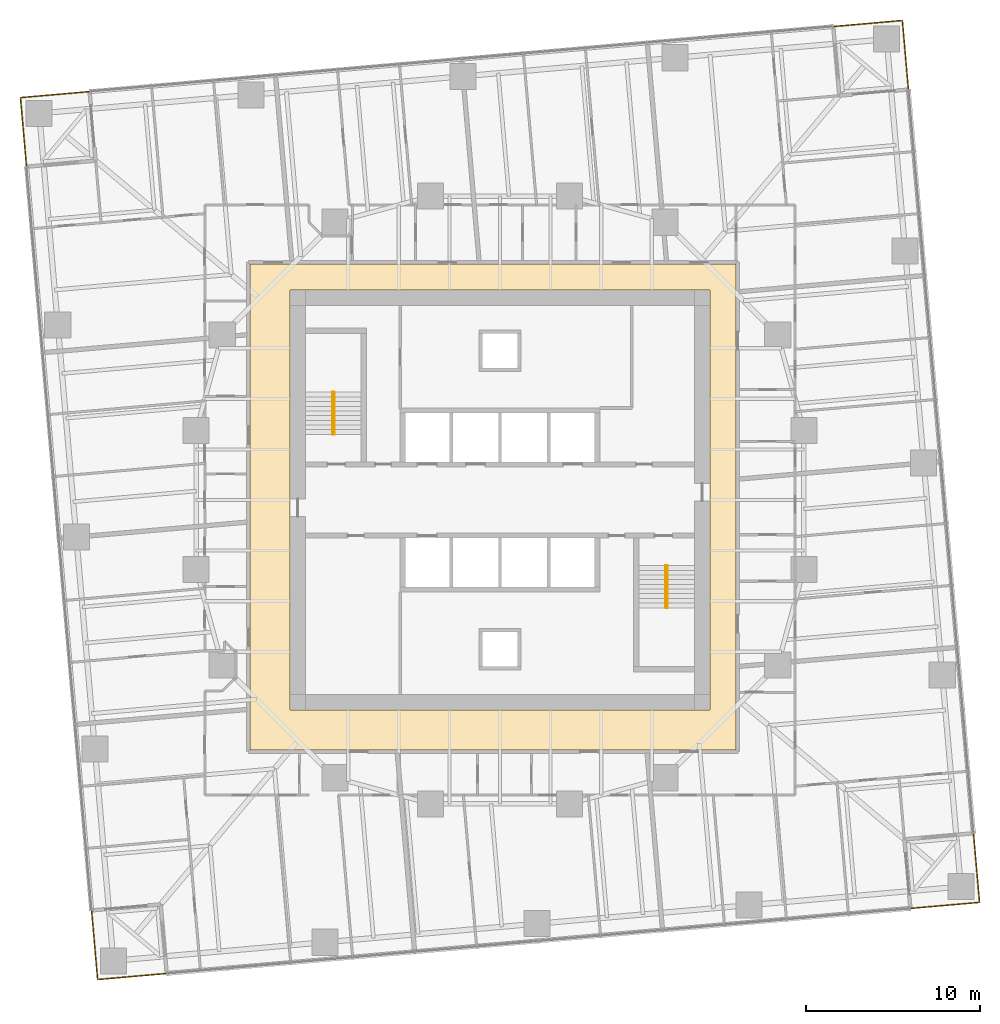
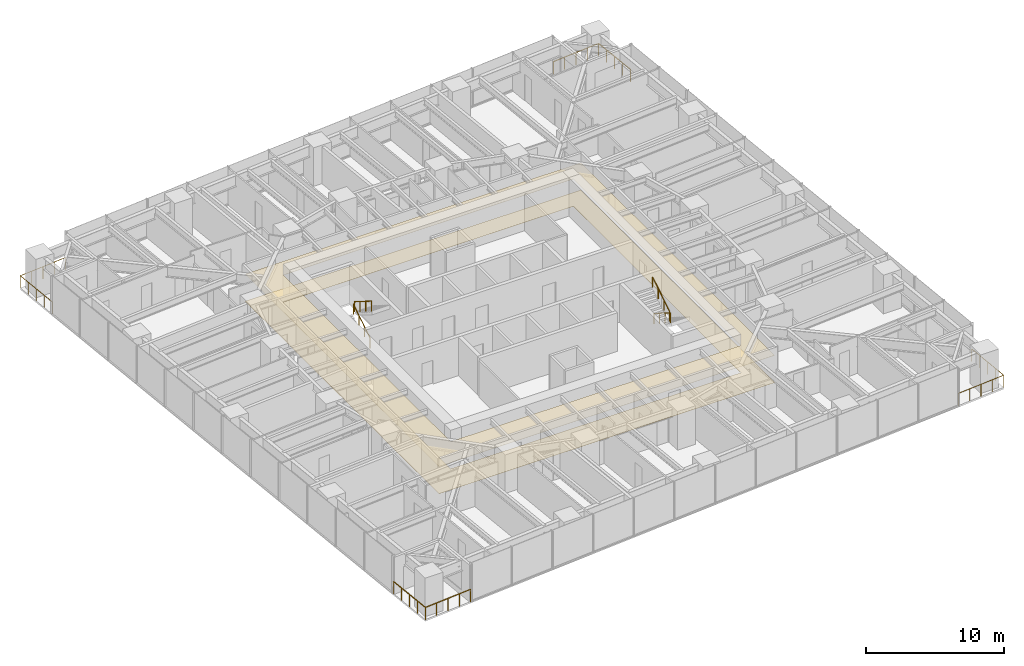
# One storey, part 14 of 14: 8 railings, 2 coverings, 2 elements without a shape of their own.
"""IFC4 building model written with IfcOpenShell, lengths in metres."""

from ifc_helpers import new_model, si_unit, direction, frame, origin, origin_2d, place, context, subcontext, project, spatial, polyline, circle, outline, extrude, material, layer, layer_set, type_object, element, aggregate, save


model = new_model("IFC4")

# Units and contexts
model_context = context("Model", 3, precision=1e-05, world=origin(), true_north=direction((0.0, 1.0)))
body_context = subcontext(model_context, "Body", "Model", "MODEL_VIEW")
ifc_project = project(units=[si_unit("LENGTHUNIT", "METRE"), si_unit("AREAUNIT", "SQUARE_METRE"), si_unit("VOLUMEUNIT", "CUBIC_METRE"), si_unit("PLANEANGLEUNIT", "RADIAN"), si_unit("MASSUNIT", "GRAM", prefix="KILO")], contexts=[model_context])

# Site, building, storey
site_placement = place(None, origin())
site = spatial("IfcSite", under=ifc_project, at=site_placement, CompositionType="ELEMENT")
building_placement = place(site_placement, origin())
building = spatial("IfcBuilding", under=site, at=building_placement, Name="Torsade Residences", CompositionType="ELEMENT")
storey_placement = place(building_placement, frame((0.0, 0.0, 47.199951171875)))
storey = spatial("IfcBuildingStorey", under=building, at=storey_placement, Name="L12", CompositionType="ELEMENT", Elevation=47.199951171875)

# Coverings
ifc_material_1 = material(Name="Nylon carpet tile on underlay", Category="textile")
ifc_layer_1 = layer(ifc_material_1, 0.010009765625)
ifc_layer_set_1 = layer_set([ifc_layer_1], Name="Nylon carpet tile on underlay")
covering_type_1 = type_object("IfcCoveringType", Name="CORRIDOR CARPET TILE 10", PredefinedType="FLOORING", material=ifc_layer_set_1)
covering_1_placement = place(storey_placement, origin())
element("IfcCovering", 1, at=covering_1_placement, inside=storey, type_object=covering_type_1, Name="Corridor carpet L12", PredefinedType="FLOORING", context=body_context, shape_type="SweptSolid", body=[
    extrude(outline(polyline([(53.60009765625, 15.60009765625), (53.60009765625, 43.60009765625), (25.60009765625, 43.60009765625), (25.60009765625, 15.60009765625), (53.60009765625, 15.60009765625)]), holes=[polyline([(52.10009765625, 42.10009765625), (27.89990234375, 42.10009765625), (27.89990234375, 17.89990234375), (52.10009765625, 17.89990234375), (52.10009765625, 42.10009765625)])]), origin(), (0.0, 0.0, 1.0), 0.010009765625),
])
ifc_material_2 = material(Name="Plasterboard on suspended steel grid", Category="steel")
ifc_layer_2 = layer(ifc_material_2, 0.012939453125)
ifc_layer_set_2 = layer_set([ifc_layer_2], Name="Plasterboard on suspended steel grid")
covering_type_2 = type_object("IfcCoveringType", Name="CORRIDOR SUSPENDED CEILING 13", PredefinedType="CEILING", material=ifc_layer_set_2)
covering_2_placement = place(storey_placement, frame((0.0, 0.0, 2.400146484375)))
element("IfcCovering", 2, at=covering_2_placement, inside=storey, type_object=covering_type_2, Name="Corridor ceiling L12", PredefinedType="CEILING", context=body_context, shape_type="SweptSolid", body=[
    extrude(outline(polyline([(53.60009765625, 15.60009765625), (53.60009765625, 43.60009765625), (25.60009765625, 43.60009765625), (25.60009765625, 15.60009765625), (53.60009765625, 15.60009765625)]), holes=[polyline([(52.10009765625, 42.10009765625), (27.89990234375, 42.10009765625), (27.89990234375, 17.89990234375), (52.10009765625, 17.89990234375), (52.10009765625, 42.10009765625)])]), origin(), (0.0, 0.0, 1.0), 0.012939453125),
])

# Stair, railings
ifc_material_3 = material(Name="Precast concrete 40 MPa", Category="concrete")
stair_type = type_object("IfcStairType", Name="HALF-TURN FIRE STAIR 1500x3400", PredefinedType="HALF_TURN_STAIR", material=ifc_material_3)
stair_1_placement = place(storey_placement, origin())
stair_1 = element("IfcStair", 3, at=stair_1_placement, inside=storey, type_object=stair_type, Name="Stair ST1 L12", PredefinedType="HALF_TURN_STAIR")
ifc_material_4 = material(Name="Steel handrail", Category="steel")
railing_type_1 = type_object("IfcRailingType", Name="STAIR HANDRAIL 900", PredefinedType="HANDRAIL", material=ifc_material_4)
railing_1_placement = place(storey_placement, frame((30.35009765625, 33.780029296875, 0.170166015625)))
railing_1 = element("IfcRailing", 4, at=railing_1_placement, type_object=railing_type_1, Name="Handrail ST1 flight 1 L12", PredefinedType="HANDRAIL", context=body_context, shape_type="SweptSolid", body=[
    extrude(circle(Radius=0.02392578125, at=origin_2d()), frame((0.0, 0.0, 0.8759765625), z_axis=(0.0, 0.846259816676, 0.532770422113), x_axis=(-1.0, 0.0, 0.0)), (0.0, 0.0, 1.0), 2.871337890625),
    extrude(circle(Radius=0.02099609375, at=origin_2d()), origin(), (0.0, 0.0, 1.0), 0.851806640625),
    extrude(circle(Radius=0.02099609375, at=origin_2d()), frame((0.0, 0.81005859375, 0.510009765625)), (0.0, 0.0, 1.0), 0.851806640625),
    extrude(circle(Radius=0.02099609375, at=origin_2d()), frame((0.0, 1.619873046875, 1.019775390625)), (0.0, 0.0, 1.0), 0.851806640625),
    extrude(circle(Radius=0.02099609375, at=origin_2d()), frame((0.0, 2.429931640625, 1.52978515625)), (0.0, 0.0, 1.0), 0.851806640625),
])
railing_2_placement = place(storey_placement, frame((30.449951171875, 36.2099609375, 1.8701171875)))
railing_2 = element("IfcRailing", 5, at=railing_2_placement, type_object=railing_type_1, Name="Handrail ST1 flight 2 L12", PredefinedType="HANDRAIL", context=body_context, shape_type="SweptSolid", body=[
    extrude(circle(Radius=0.02392578125, at=origin_2d()), frame((0.0, 0.0, 0.8759765625), z_axis=(0.0, -0.846221481393, 0.532831309544), x_axis=(1.0, 0.0, 0.0)), (0.0, 0.0, 1.0), 2.87158203125),
    extrude(circle(Radius=0.02099609375, at=origin_2d()), origin(), (0.0, 0.0, 1.0), 0.851806640625),
    extrude(circle(Radius=0.02099609375, at=origin_2d()), frame((0.0, -0.81005859375, 0.510009765625)), (0.0, 0.0, 1.0), 0.851806640625),
    extrude(circle(Radius=0.02099609375, at=origin_2d()), frame((0.0, -1.619873046875, 1.02001953125)), (0.0, 0.0, 1.0), 0.851806640625),
    extrude(circle(Radius=0.02099609375, at=origin_2d()), frame((0.0, -2.429931640625, 1.530029296875)), (0.0, 0.0, 1.0), 0.851806640625),
])
aggregate(stair_1, [railing_1, railing_2])

stair_2_placement = place(storey_placement, origin())
stair_2 = element("IfcStair", 6, at=stair_2_placement, inside=storey, type_object=stair_type, Name="Stair ST2 L12", PredefinedType="HALF_TURN_STAIR")
railing_3_placement = place(storey_placement, frame((49.64990234375, 26.219970703125, 0.170166015625)))
railing_3 = element("IfcRailing", 7, at=railing_3_placement, type_object=railing_type_1, Name="Handrail ST2 flight 1 L12", PredefinedType="HANDRAIL", context=body_context, shape_type="SweptSolid", body=[
    extrude(circle(Radius=0.02392578125, at=origin_2d()), frame((0.0, 0.0, 0.8759765625), z_axis=(0.0, -0.846259816676, 0.532770422113), x_axis=(1.0, 0.0, 0.0)), (0.0, 0.0, 1.0), 2.871337890625),
    extrude(circle(Radius=0.02099609375, at=origin_2d()), origin(), (0.0, 0.0, 1.0), 0.851806640625),
    extrude(circle(Radius=0.02099609375, at=origin_2d()), frame((0.0, -0.81005859375, 0.510009765625)), (0.0, 0.0, 1.0), 0.851806640625),
    extrude(circle(Radius=0.02099609375, at=origin_2d()), frame((0.0, -1.619873046875, 1.019775390625)), (0.0, 0.0, 1.0), 0.851806640625),
    extrude(circle(Radius=0.02099609375, at=origin_2d()), frame((0.0, -2.429931640625, 1.52978515625)), (0.0, 0.0, 1.0), 0.851806640625),
])
railing_4_placement = place(storey_placement, frame((49.550048828125, 23.7900390625, 1.8701171875)))
railing_4 = element("IfcRailing", 8, at=railing_4_placement, type_object=railing_type_1, Name="Handrail ST2 flight 2 L12", PredefinedType="HANDRAIL", context=body_context, shape_type="SweptSolid", body=[
    extrude(circle(Radius=0.02392578125, at=origin_2d()), frame((0.0, 0.0, 0.8759765625), z_axis=(0.0, 0.846221481393, 0.532831309544), x_axis=(-1.0, 0.0, 0.0)), (0.0, 0.0, 1.0), 2.87158203125),
    extrude(circle(Radius=0.02099609375, at=origin_2d()), origin(), (0.0, 0.0, 1.0), 0.851806640625),
    extrude(circle(Radius=0.02099609375, at=origin_2d()), frame((0.0, 0.81005859375, 0.510009765625)), (0.0, 0.0, 1.0), 0.851806640625),
    extrude(circle(Radius=0.02099609375, at=origin_2d()), frame((0.0, 1.619873046875, 1.02001953125)), (0.0, 0.0, 1.0), 0.851806640625),
    extrude(circle(Radius=0.02099609375, at=origin_2d()), frame((0.0, 2.429931640625, 1.530029296875)), (0.0, 0.0, 1.0), 0.851806640625),
])
aggregate(stair_2, [railing_3, railing_4])

# Railings
ifc_material_5 = material(Name="Laminated glass balustrade", Category="glass")
railing_type_2 = type_object("IfcRailingType", Name="TERRACE GLASS BALUSTRADE 1100", PredefinedType="BALUSTRADE", material=ifc_material_5)
railing_5_placement = place(storey_placement, frame((63.640625, 6.470947265625, 0.0)))
element("IfcRailing", 9, at=railing_5_placement, inside=storey, type_object=railing_type_2, Name="Terrace balustrade SE L12", PredefinedType="BALUSTRADE", context=body_context, shape_type="SweptSolid", body=[
    extrude(circle(Radius=0.02392578125, at=origin_2d()), frame((0.0, 0.0, 1.076171875), z_axis=(0.99619464492, 0.087156350505, 0.0), x_axis=(-0.087156350505, 0.99619464492, 0.0)), (0.0, 0.0, 1.0), 4.0),
    extrude(circle(Radius=0.02392578125, at=origin_2d()), frame((3.98486328125, 0.3486328125, 1.076171875), z_axis=(-0.087161650072, 0.99619418125, 0.0), x_axis=(-0.99619418125, -0.087161650072, 0.0)), (0.0, 0.0, 1.0), 3.999755859375),
    extrude(circle(Radius=0.02099609375, at=origin_2d()), origin(), (0.0, 0.0, 1.0), 1.052001953125),
    extrude(circle(Radius=0.02099609375, at=origin_2d()), frame((0.99609375, 0.087158203125, 0.0)), (0.0, 0.0, 1.0), 1.052001953125),
    extrude(circle(Radius=0.02099609375, at=origin_2d()), frame((1.992431640625, 0.17431640625, 0.0)), (0.0, 0.0, 1.0), 1.052001953125),
    extrude(circle(Radius=0.02099609375, at=origin_2d()), frame((2.98876953125, 0.261474609375, 0.0)), (0.0, 0.0, 1.0), 1.052001953125),
    extrude(circle(Radius=0.02099609375, at=origin_2d()), frame((3.98486328125, 0.3486328125, 0.0)), (0.0, 0.0, 1.0), 1.052001953125),
    extrude(circle(Radius=0.02099609375, at=origin_2d()), frame((3.897705078125, 1.3447265625, 0.0)), (0.0, 0.0, 1.0), 1.052001953125),
    extrude(circle(Radius=0.02099609375, at=origin_2d()), frame((3.810546875, 2.3408203125, 0.0)), (0.0, 0.0, 1.0), 1.052001953125),
    extrude(circle(Radius=0.02099609375, at=origin_2d()), frame((3.723388671875, 3.337158203125, 0.0)), (0.0, 0.0, 1.0), 1.052001953125),
    extrude(circle(Radius=0.02099609375, at=origin_2d()), frame((3.63623046875, 4.333251953125, 0.0)), (0.0, 0.0, 1.0), 1.052001953125),
])
railing_6_placement = place(storey_placement, frame((63.529052734375, 53.640625, 0.0)))
element("IfcRailing", 10, at=railing_6_placement, inside=storey, type_object=railing_type_2, Name="Terrace balustrade NE L12", PredefinedType="BALUSTRADE", context=body_context, shape_type="SweptSolid", body=[
    extrude(circle(Radius=0.02392578125, at=origin_2d()), frame((0.0, 0.0, 1.076171875), z_axis=(-0.087156350505, 0.99619464492, 0.0), x_axis=(-0.99619464492, -0.087156350505, 0.0)), (0.0, 0.0, 1.0), 4.0),
    extrude(circle(Radius=0.02392578125, at=origin_2d()), frame((-0.3486328125, 3.98486328125, 1.076171875), z_axis=(-0.99619418125, -0.087161650072, 0.0), x_axis=(0.087161650072, -0.99619418125, 0.0)), (0.0, 0.0, 1.0), 3.999755859375),
    extrude(circle(Radius=0.02099609375, at=origin_2d()), origin(), (0.0, 0.0, 1.0), 1.052001953125),
    extrude(circle(Radius=0.02099609375, at=origin_2d()), frame((-0.087158203125, 0.99609375, 0.0)), (0.0, 0.0, 1.0), 1.052001953125),
    extrude(circle(Radius=0.02099609375, at=origin_2d()), frame((-0.17431640625, 1.992431640625, 0.0)), (0.0, 0.0, 1.0), 1.052001953125),
    extrude(circle(Radius=0.02099609375, at=origin_2d()), frame((-0.261474609375, 2.98876953125, 0.0)), (0.0, 0.0, 1.0), 1.052001953125),
    extrude(circle(Radius=0.02099609375, at=origin_2d()), frame((-0.3486328125, 3.98486328125, 0.0)), (0.0, 0.0, 1.0), 1.052001953125),
    extrude(circle(Radius=0.02099609375, at=origin_2d()), frame((-1.3447265625, 3.897705078125, 0.0)), (0.0, 0.0, 1.0), 1.052001953125),
    extrude(circle(Radius=0.02099609375, at=origin_2d()), frame((-2.3408203125, 3.810546875, 0.0)), (0.0, 0.0, 1.0), 1.052001953125),
    extrude(circle(Radius=0.02099609375, at=origin_2d()), frame((-3.337158203125, 3.723388671875, 0.0)), (0.0, 0.0, 1.0), 1.052001953125),
    extrude(circle(Radius=0.02099609375, at=origin_2d()), frame((-4.333251953125, 3.63623046875, 0.0)), (0.0, 0.0, 1.0), 1.052001953125),
])
railing_7_placement = place(storey_placement, frame((16.359375, 53.529052734375, 0.0)))
element("IfcRailing", 11, at=railing_7_placement, inside=storey, type_object=railing_type_2, Name="Terrace balustrade NW L12", PredefinedType="BALUSTRADE", context=body_context, shape_type="SweptSolid", body=[
    extrude(circle(Radius=0.02392578125, at=origin_2d()), frame((0.0, 0.0, 1.076171875), z_axis=(-0.99619464492, -0.087156350505, 0.0), x_axis=(0.087156350505, -0.99619464492, 0.0)), (0.0, 0.0, 1.0), 4.0),
    extrude(circle(Radius=0.02392578125, at=origin_2d()), frame((-3.98486328125, -0.3486328125, 1.076171875), z_axis=(0.087161650072, -0.99619418125, 0.0), x_axis=(0.99619418125, 0.087161650072, 0.0)), (0.0, 0.0, 1.0), 3.999755859375),
    extrude(circle(Radius=0.02099609375, at=origin_2d()), origin(), (0.0, 0.0, 1.0), 1.052001953125),
    extrude(circle(Radius=0.02099609375, at=origin_2d()), frame((-0.99609375, -0.087158203125, 0.0)), (0.0, 0.0, 1.0), 1.052001953125),
    extrude(circle(Radius=0.02099609375, at=origin_2d()), frame((-1.992431640625, -0.17431640625, 0.0)), (0.0, 0.0, 1.0), 1.052001953125),
    extrude(circle(Radius=0.02099609375, at=origin_2d()), frame((-2.98876953125, -0.261474609375, 0.0)), (0.0, 0.0, 1.0), 1.052001953125),
    extrude(circle(Radius=0.02099609375, at=origin_2d()), frame((-3.98486328125, -0.3486328125, 0.0)), (0.0, 0.0, 1.0), 1.052001953125),
    extrude(circle(Radius=0.02099609375, at=origin_2d()), frame((-3.897705078125, -1.3447265625, 0.0)), (0.0, 0.0, 1.0), 1.052001953125),
    extrude(circle(Radius=0.02099609375, at=origin_2d()), frame((-3.810546875, -2.3408203125, 0.0)), (0.0, 0.0, 1.0), 1.052001953125),
    extrude(circle(Radius=0.02099609375, at=origin_2d()), frame((-3.723388671875, -3.337158203125, 0.0)), (0.0, 0.0, 1.0), 1.052001953125),
    extrude(circle(Radius=0.02099609375, at=origin_2d()), frame((-3.63623046875, -4.333251953125, 0.0)), (0.0, 0.0, 1.0), 1.052001953125),
])
railing_8_placement = place(storey_placement, frame((16.470947265625, 6.359375, 0.0)))
element("IfcRailing", 12, at=railing_8_placement, inside=storey, type_object=railing_type_2, Name="Terrace balustrade SW L12", PredefinedType="BALUSTRADE", context=body_context, shape_type="SweptSolid", body=[
    extrude(circle(Radius=0.02392578125, at=origin_2d()), frame((0.0, 0.0, 1.076171875), z_axis=(0.087156350505, -0.99619464492, 0.0), x_axis=(0.99619464492, 0.087156350505, 0.0)), (0.0, 0.0, 1.0), 4.0),
    extrude(circle(Radius=0.02392578125, at=origin_2d()), frame((0.3486328125, -3.98486328125, 1.076171875), z_axis=(0.99619418125, 0.087161650072, 0.0), x_axis=(-0.087161650072, 0.99619418125, 0.0)), (0.0, 0.0, 1.0), 3.999755859375),
    extrude(circle(Radius=0.02099609375, at=origin_2d()), origin(), (0.0, 0.0, 1.0), 1.052001953125),
    extrude(circle(Radius=0.02099609375, at=origin_2d()), frame((0.087158203125, -0.99609375, 0.0)), (0.0, 0.0, 1.0), 1.052001953125),
    extrude(circle(Radius=0.02099609375, at=origin_2d()), frame((0.17431640625, -1.992431640625, 0.0)), (0.0, 0.0, 1.0), 1.052001953125),
    extrude(circle(Radius=0.02099609375, at=origin_2d()), frame((0.261474609375, -2.98876953125, 0.0)), (0.0, 0.0, 1.0), 1.052001953125),
    extrude(circle(Radius=0.02099609375, at=origin_2d()), frame((0.3486328125, -3.98486328125, 0.0)), (0.0, 0.0, 1.0), 1.052001953125),
    extrude(circle(Radius=0.02099609375, at=origin_2d()), frame((1.3447265625, -3.897705078125, 0.0)), (0.0, 0.0, 1.0), 1.052001953125),
    extrude(circle(Radius=0.02099609375, at=origin_2d()), frame((2.3408203125, -3.810546875, 0.0)), (0.0, 0.0, 1.0), 1.052001953125),
    extrude(circle(Radius=0.02099609375, at=origin_2d()), frame((3.337158203125, -3.723388671875, 0.0)), (0.0, 0.0, 1.0), 1.052001953125),
    extrude(circle(Radius=0.02099609375, at=origin_2d()), frame((4.333251953125, -3.63623046875, 0.0)), (0.0, 0.0, 1.0), 1.052001953125),
])

save(model, "model.ifc")
